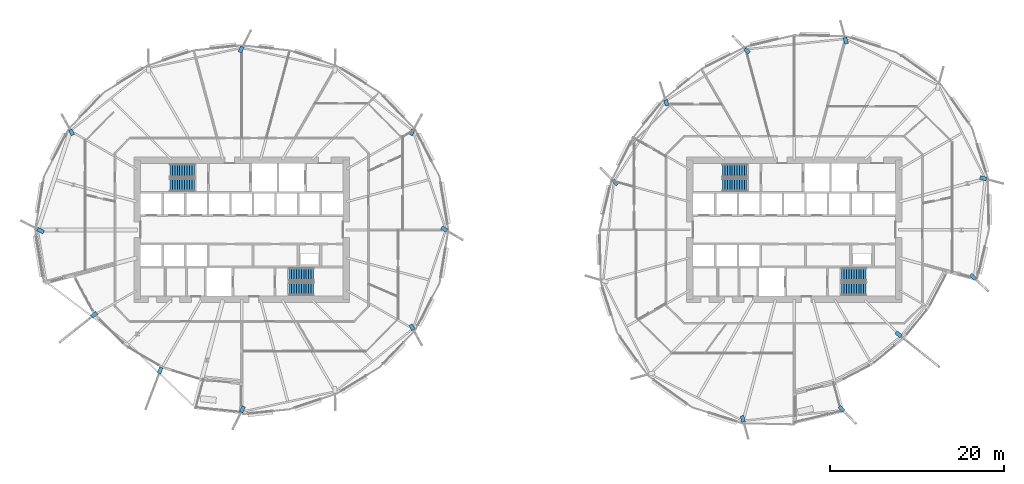
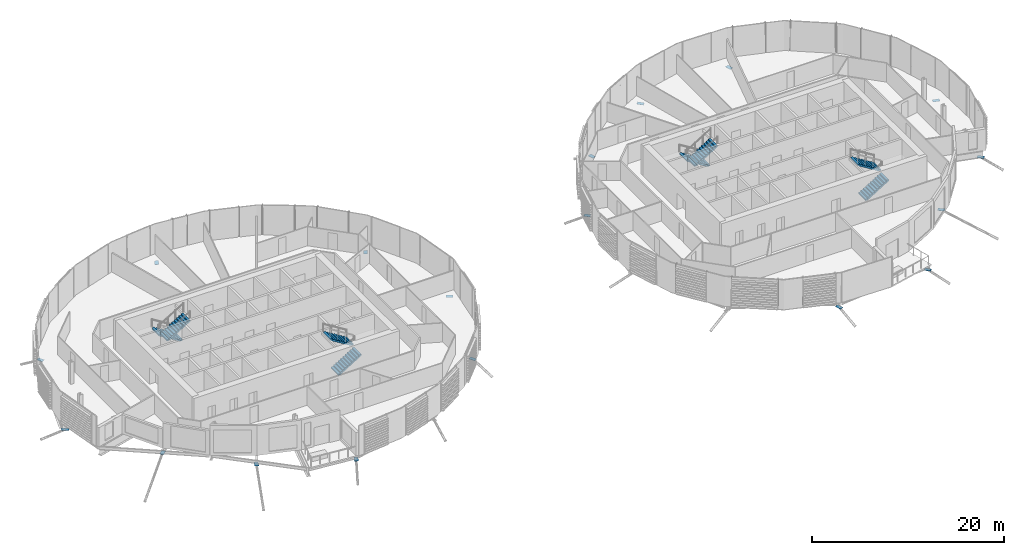
# One storey, part 28 of 43: 18 discrete accessories, 8 stair flights, 4 elements without a shape of their own.
"""IFC4 building model written with IfcOpenShell, lengths in metres."""

from ifc_helpers import new_model, si_unit, direction, frame, origin, origin_2d, place, context, subcontext, project, spatial, polyline, rectangle, outline, extrude, material, material_profile, profile_set, type_object, element, aggregate, save


model = new_model("IFC4")

# Units and contexts
model_context = context("Model", 3, precision=1e-05, world=origin(), true_north=direction((0.0, 1.0)))
body_context = subcontext(model_context, "Body", "Model", "MODEL_VIEW")
ifc_project = project(units=[si_unit("LENGTHUNIT", "METRE"), si_unit("AREAUNIT", "SQUARE_METRE"), si_unit("VOLUMEUNIT", "CUBIC_METRE"), si_unit("PLANEANGLEUNIT", "RADIAN"), si_unit("MASSUNIT", "GRAM", prefix="KILO")], contexts=[model_context])

# Site, building, storey
site_placement = place(None, origin())
site = spatial("IfcSite", under=ifc_project, at=site_placement, CompositionType="ELEMENT")
building_placement = place(site_placement, origin())
building = spatial("IfcBuilding", under=site, at=building_placement, Name="Rimbun Link Towers", CompositionType="ELEMENT")
storey_placement = place(building_placement, frame((0.0, 0.0, 81.60009765625)))
storey = spatial("IfcBuildingStorey", under=building, at=storey_placement, Name="L19", CompositionType="ELEMENT", Elevation=81.60009765625)

# Stair, stair flights
ifc_material_1 = material(Name="Concrete C40/50", Category="concrete")
stair_type = type_object("IfcStairType", Name="Exit stair 3800 rise", PredefinedType="HALF_TURN_STAIR", material=ifc_material_1)
stair_1_placement = place(storey_placement, origin())
stair_1 = element("IfcStair", 1, at=stair_1_placement, inside=storey, type_object=stair_type, Name="L19 EXIT STAIR A", PredefinedType="HALF_TURN_STAIR")
ifc_material_2 = material(Name="Concrete C40/50", Category="concrete")
stair_flight_type = type_object("IfcStairFlightType", Name="Exit stair flight 3800 rise", PredefinedType="STRAIGHT", material=ifc_material_2)
stair_flight_1_placement = place(storey_placement, frame((-37.199951171875, 6.800048828125, 0.0), z_axis=(0.0, 0.0, 1.0), x_axis=(-1.0, 0.0, 0.0)))
stair_flight_1 = element("IfcStairFlight", 2, at=stair_flight_1_placement, type_object=stair_flight_type, Name="ST1 flight 1", NumberOfRisers=11, NumberOfTreads=10, PredefinedType="STRAIGHT", RiserHeight=0.172727273, TreadLength=0.28, context=body_context, shape_type="SweptSolid", body=[
    extrude(outline(polyline([(0.0, 0.0), (0.0, 0.172607421875), (0.280029296875, 0.172607421875), (0.280029296875, 0.345458984375), (0.56005859375, 0.345458984375), (0.56005859375, 0.51806640625), (0.840087890625, 0.51806640625), (0.840087890625, 0.69091796875), (1.1201171875, 0.69091796875), (1.1201171875, 0.863525390625), (1.39990234375, 0.863525390625), (1.39990234375, 1.036376953125), (1.679931640625, 1.036376953125), (1.679931640625, 1.208984375), (1.9599609375, 1.208984375), (1.9599609375, 1.3818359375), (2.239990234375, 1.3818359375), (2.239990234375, 1.554443359375), (2.52001953125, 1.554443359375), (2.52001953125, 1.727294921875), (2.800048828125, 1.727294921875), (2.800048828125, 1.89990234375), (2.800048828125, 1.551025390625), (0.280029296875, 0.0), (0.0, 0.0)])), frame((0.0, 0.75, 0.0), z_axis=(0.0, -1.0, 0.0), x_axis=(1.0, 0.0, 0.0)), (0.0, 0.0, 1.0), 1.5),
])
stair_flight_2_placement = place(storey_placement, frame((-40.0, 5.14990234375, 1.89990234375), z_axis=(0.0, 0.0, 1.0), x_axis=(1.0, 0.0, 0.0)))
stair_flight_2 = element("IfcStairFlight", 3, at=stair_flight_2_placement, type_object=stair_flight_type, Name="ST1 flight 2", NumberOfRisers=11, NumberOfTreads=10, PredefinedType="STRAIGHT", RiserHeight=0.172727273, TreadLength=0.28, context=body_context, shape_type="SweptSolid", body=[
    extrude(outline(polyline([(0.0, 0.0), (0.0, 0.172607421875), (0.280029296875, 0.172607421875), (0.280029296875, 0.345458984375), (0.56005859375, 0.345458984375), (0.56005859375, 0.51806640625), (0.840087890625, 0.51806640625), (0.840087890625, 0.69091796875), (1.1201171875, 0.69091796875), (1.1201171875, 0.863525390625), (1.39990234375, 0.863525390625), (1.39990234375, 1.036376953125), (1.679931640625, 1.036376953125), (1.679931640625, 1.208984375), (1.9599609375, 1.208984375), (1.9599609375, 1.3818359375), (2.239990234375, 1.3818359375), (2.239990234375, 1.554443359375), (2.52001953125, 1.554443359375), (2.52001953125, 1.727294921875), (2.800048828125, 1.727294921875), (2.800048828125, 1.89990234375), (2.800048828125, 1.551025390625), (0.280029296875, 0.0), (0.0, 0.0)])), frame((0.0, 0.75, 0.0), z_axis=(0.0, -1.0, 0.0), x_axis=(1.0, 0.0, 0.0)), (0.0, 0.0, 1.0), 1.5),
])
aggregate(stair_1, [stair_flight_1, stair_flight_2])

stair_2_placement = place(storey_placement, origin())
stair_2 = element("IfcStair", 4, at=stair_2_placement, inside=storey, type_object=stair_type, Name="L19 EXIT STAIR B", PredefinedType="HALF_TURN_STAIR")
stair_flight_3_placement = place(storey_placement, frame((-26.300048828125, -6.800048828125, 0.0), z_axis=(0.0, 0.0, 1.0), x_axis=(1.0, 0.0, 0.0)))
stair_flight_3 = element("IfcStairFlight", 5, at=stair_flight_3_placement, type_object=stair_flight_type, Name="ST2 flight 1", NumberOfRisers=11, NumberOfTreads=10, PredefinedType="STRAIGHT", RiserHeight=0.172727273, TreadLength=0.28, context=body_context, shape_type="SweptSolid", body=[
    extrude(outline(polyline([(0.0, 0.0), (0.0, 0.172607421875), (0.280029296875, 0.172607421875), (0.280029296875, 0.345458984375), (0.56005859375, 0.345458984375), (0.56005859375, 0.51806640625), (0.840087890625, 0.51806640625), (0.840087890625, 0.69091796875), (1.1201171875, 0.69091796875), (1.1201171875, 0.863525390625), (1.39990234375, 0.863525390625), (1.39990234375, 1.036376953125), (1.679931640625, 1.036376953125), (1.679931640625, 1.208984375), (1.9599609375, 1.208984375), (1.9599609375, 1.3818359375), (2.239990234375, 1.3818359375), (2.239990234375, 1.554443359375), (2.52001953125, 1.554443359375), (2.52001953125, 1.727294921875), (2.800048828125, 1.727294921875), (2.800048828125, 1.89990234375), (2.800048828125, 1.551025390625), (0.280029296875, 0.0), (0.0, 0.0)])), frame((0.0, 0.75, 0.0), z_axis=(0.0, -1.0, 0.0), x_axis=(1.0, 0.0, 0.0)), (0.0, 0.0, 1.0), 1.5),
])
stair_flight_4_placement = place(storey_placement, frame((-23.5, -5.14990234375, 1.89990234375), z_axis=(0.0, 0.0, 1.0), x_axis=(-1.0, 0.0, 0.0)))
stair_flight_4 = element("IfcStairFlight", 6, at=stair_flight_4_placement, type_object=stair_flight_type, Name="ST2 flight 2", NumberOfRisers=11, NumberOfTreads=10, PredefinedType="STRAIGHT", RiserHeight=0.172727273, TreadLength=0.28, context=body_context, shape_type="SweptSolid", body=[
    extrude(outline(polyline([(0.0, 0.0), (0.0, 0.172607421875), (0.280029296875, 0.172607421875), (0.280029296875, 0.345458984375), (0.56005859375, 0.345458984375), (0.56005859375, 0.51806640625), (0.840087890625, 0.51806640625), (0.840087890625, 0.69091796875), (1.1201171875, 0.69091796875), (1.1201171875, 0.863525390625), (1.39990234375, 0.863525390625), (1.39990234375, 1.036376953125), (1.679931640625, 1.036376953125), (1.679931640625, 1.208984375), (1.9599609375, 1.208984375), (1.9599609375, 1.3818359375), (2.239990234375, 1.3818359375), (2.239990234375, 1.554443359375), (2.52001953125, 1.554443359375), (2.52001953125, 1.727294921875), (2.800048828125, 1.727294921875), (2.800048828125, 1.89990234375), (2.800048828125, 1.551025390625), (0.280029296875, 0.0), (0.0, 0.0)])), frame((0.0, 0.75, 0.0), z_axis=(0.0, -1.0, 0.0), x_axis=(1.0, 0.0, 0.0)), (0.0, 0.0, 1.0), 1.5),
])
aggregate(stair_2, [stair_flight_3, stair_flight_4])

stair_3_placement = place(storey_placement, origin())
stair_3 = element("IfcStair", 7, at=stair_3_placement, inside=storey, type_object=stair_type, Name="L19 EXIT STAIR A", PredefinedType="HALF_TURN_STAIR")
stair_flight_5_placement = place(storey_placement, frame((26.300048828125, 6.800048828125, 0.0), z_axis=(0.0, 0.0, 1.0), x_axis=(-1.0, 0.0, 0.0)))
stair_flight_5 = element("IfcStairFlight", 8, at=stair_flight_5_placement, type_object=stair_flight_type, Name="ST3 flight 1", NumberOfRisers=11, NumberOfTreads=10, PredefinedType="STRAIGHT", RiserHeight=0.172727273, TreadLength=0.28, context=body_context, shape_type="SweptSolid", body=[
    extrude(outline(polyline([(0.0, 0.0), (0.0, 0.172607421875), (0.280029296875, 0.172607421875), (0.280029296875, 0.345458984375), (0.56005859375, 0.345458984375), (0.56005859375, 0.51806640625), (0.840087890625, 0.51806640625), (0.840087890625, 0.69091796875), (1.1201171875, 0.69091796875), (1.1201171875, 0.863525390625), (1.39990234375, 0.863525390625), (1.39990234375, 1.036376953125), (1.679931640625, 1.036376953125), (1.679931640625, 1.208984375), (1.9599609375, 1.208984375), (1.9599609375, 1.3818359375), (2.239990234375, 1.3818359375), (2.239990234375, 1.554443359375), (2.52001953125, 1.554443359375), (2.52001953125, 1.727294921875), (2.800048828125, 1.727294921875), (2.800048828125, 1.89990234375), (2.800048828125, 1.551025390625), (0.280029296875, 0.0), (0.0, 0.0)])), frame((0.0, 0.75, 0.0), z_axis=(0.0, -1.0, 0.0), x_axis=(1.0, 0.0, 0.0)), (0.0, 0.0, 1.0), 1.5),
])
stair_flight_6_placement = place(storey_placement, frame((23.5, 5.14990234375, 1.89990234375), z_axis=(0.0, 0.0, 1.0), x_axis=(1.0, 0.0, 0.0)))
stair_flight_6 = element("IfcStairFlight", 9, at=stair_flight_6_placement, type_object=stair_flight_type, Name="ST3 flight 2", NumberOfRisers=11, NumberOfTreads=10, PredefinedType="STRAIGHT", RiserHeight=0.172727273, TreadLength=0.28, context=body_context, shape_type="SweptSolid", body=[
    extrude(outline(polyline([(0.0, 0.0), (0.0, 0.172607421875), (0.280029296875, 0.172607421875), (0.280029296875, 0.345458984375), (0.56005859375, 0.345458984375), (0.56005859375, 0.51806640625), (0.840087890625, 0.51806640625), (0.840087890625, 0.69091796875), (1.1201171875, 0.69091796875), (1.1201171875, 0.863525390625), (1.39990234375, 0.863525390625), (1.39990234375, 1.036376953125), (1.679931640625, 1.036376953125), (1.679931640625, 1.208984375), (1.9599609375, 1.208984375), (1.9599609375, 1.3818359375), (2.239990234375, 1.3818359375), (2.239990234375, 1.554443359375), (2.52001953125, 1.554443359375), (2.52001953125, 1.727294921875), (2.800048828125, 1.727294921875), (2.800048828125, 1.89990234375), (2.800048828125, 1.551025390625), (0.280029296875, 0.0), (0.0, 0.0)])), frame((0.0, 0.75, 0.0), z_axis=(0.0, -1.0, 0.0), x_axis=(1.0, 0.0, 0.0)), (0.0, 0.0, 1.0), 1.5),
])
aggregate(stair_3, [stair_flight_5, stair_flight_6])

stair_4_placement = place(storey_placement, origin())
stair_4 = element("IfcStair", 10, at=stair_4_placement, inside=storey, type_object=stair_type, Name="L19 EXIT STAIR B", PredefinedType="HALF_TURN_STAIR")
stair_flight_7_placement = place(storey_placement, frame((37.199951171875, -6.800048828125, 0.0), z_axis=(0.0, 0.0, 1.0), x_axis=(1.0, 0.0, 0.0)))
stair_flight_7 = element("IfcStairFlight", 11, at=stair_flight_7_placement, type_object=stair_flight_type, Name="ST4 flight 1", NumberOfRisers=11, NumberOfTreads=10, PredefinedType="STRAIGHT", RiserHeight=0.172727273, TreadLength=0.28, context=body_context, shape_type="SweptSolid", body=[
    extrude(outline(polyline([(0.0, 0.0), (0.0, 0.172607421875), (0.280029296875, 0.172607421875), (0.280029296875, 0.345458984375), (0.56005859375, 0.345458984375), (0.56005859375, 0.51806640625), (0.840087890625, 0.51806640625), (0.840087890625, 0.69091796875), (1.1201171875, 0.69091796875), (1.1201171875, 0.863525390625), (1.39990234375, 0.863525390625), (1.39990234375, 1.036376953125), (1.679931640625, 1.036376953125), (1.679931640625, 1.208984375), (1.9599609375, 1.208984375), (1.9599609375, 1.3818359375), (2.239990234375, 1.3818359375), (2.239990234375, 1.554443359375), (2.52001953125, 1.554443359375), (2.52001953125, 1.727294921875), (2.800048828125, 1.727294921875), (2.800048828125, 1.89990234375), (2.800048828125, 1.551025390625), (0.280029296875, 0.0), (0.0, 0.0)])), frame((0.0, 0.75, 0.0), z_axis=(0.0, -1.0, 0.0), x_axis=(1.0, 0.0, 0.0)), (0.0, 0.0, 1.0), 1.5),
])
stair_flight_8_placement = place(storey_placement, frame((40.0, -5.14990234375, 1.89990234375), z_axis=(0.0, 0.0, 1.0), x_axis=(-1.0, 0.0, 0.0)))
stair_flight_8 = element("IfcStairFlight", 12, at=stair_flight_8_placement, type_object=stair_flight_type, Name="ST4 flight 2", NumberOfRisers=11, NumberOfTreads=10, PredefinedType="STRAIGHT", RiserHeight=0.172727273, TreadLength=0.28, context=body_context, shape_type="SweptSolid", body=[
    extrude(outline(polyline([(0.0, 0.0), (0.0, 0.172607421875), (0.280029296875, 0.172607421875), (0.280029296875, 0.345458984375), (0.56005859375, 0.345458984375), (0.56005859375, 0.51806640625), (0.840087890625, 0.51806640625), (0.840087890625, 0.69091796875), (1.1201171875, 0.69091796875), (1.1201171875, 0.863525390625), (1.39990234375, 0.863525390625), (1.39990234375, 1.036376953125), (1.679931640625, 1.036376953125), (1.679931640625, 1.208984375), (1.9599609375, 1.208984375), (1.9599609375, 1.3818359375), (2.239990234375, 1.3818359375), (2.239990234375, 1.554443359375), (2.52001953125, 1.554443359375), (2.52001953125, 1.727294921875), (2.800048828125, 1.727294921875), (2.800048828125, 1.89990234375), (2.800048828125, 1.551025390625), (0.280029296875, 0.0), (0.0, 0.0)])), frame((0.0, 0.75, 0.0), z_axis=(0.0, -1.0, 0.0), x_axis=(1.0, 0.0, 0.0)), (0.0, 0.0, 1.0), 1.5),
])
aggregate(stair_4, [stair_flight_7, stair_flight_8])

# Discrete accessories
ifc_material_3 = material(Name="Steel S355J2H", Category="steel")
ifc_material_profile = material_profile(ifc_material_3, rectangle(XDim=0.43310546875, YDim=0.43310546875, at=origin_2d()), Name="PL 433x433")
ifc_profile_set = profile_set([ifc_material_profile], Name="Steel S355J2H")
discrete_accessory_type = type_object("IfcDiscreteAccessoryType", Name="Link head end plate 433X20", PredefinedType="BRACKET", material=ifc_profile_set)
discrete_accessory_1_placement = place(storey_placement, frame((0.0, 0.0, -0.78271484375)))
element("IfcDiscreteAccessory", 13, at=discrete_accessory_1_placement, inside=storey, type_object=discrete_accessory_type, Name="Link head end plate T1 L19 00", PredefinedType="BRACKET", context=body_context, shape_type="SweptSolid", body=[
    extrude(outline(polyline([(-8.89697265625, 0.0712890625), (-8.29833984375, -0.27978515625), (-8.079345703125, 0.09375), (-8.677978515625, 0.444580078125), (-8.89697265625, 0.0712890625)])), origin(), (0.0, 0.0, 1.0), 0.02001953125),
])
discrete_accessory_2_placement = place(storey_placement, frame((0.0, 0.0, -0.633544921875)))
element("IfcDiscreteAccessory", 14, at=discrete_accessory_2_placement, inside=storey, type_object=discrete_accessory_type, Name="Link head end plate T1 L19 02", PredefinedType="BRACKET", context=body_context, shape_type="SweptSolid", body=[
    extrude(outline(polyline([(-12.15966796875, 10.79345703125), (-11.831298828125, 11.398193359375), (-12.2119140625, 11.604736328125), (-12.5400390625, 11.0), (-12.15966796875, 10.79345703125)])), origin(), (0.0, 0.0, 1.0), 0.02001953125),
])
discrete_accessory_3_placement = place(storey_placement, frame((0.0, 0.0, -0.863525390625)))
element("IfcDiscreteAccessory", 15, at=discrete_accessory_3_placement, inside=storey, type_object=discrete_accessory_type, Name="Link head end plate T1 L19 06", PredefinedType="BRACKET", context=body_context, shape_type="SweptSolid", body=[
    extrude(outline(polyline([(-31.79541015625, 20.2998046875), (-31.473876953125, 20.929443359375), (-31.859619140625, 21.126220703125), (-32.180908203125, 20.49658203125), (-31.79541015625, 20.2998046875)])), origin(), (0.0, 0.0, 1.0), 0.02001953125),
])
discrete_accessory_4_placement = place(storey_placement, frame((0.0, 0.0, -0.633544921875)))
element("IfcDiscreteAccessory", 16, at=discrete_accessory_4_placement, inside=storey, type_object=discrete_accessory_type, Name="Link head end plate T1 L19 10", PredefinedType="BRACKET", context=body_context, shape_type="SweptSolid", body=[
    extrude(outline(polyline([(-50.9599609375, 11.0), (-51.2880859375, 11.604736328125), (-51.668701171875, 11.398193359375), (-51.34033203125, 10.79345703125), (-50.9599609375, 11.0)])), origin(), (0.0, 0.0, 1.0), 0.02001953125),
])
discrete_accessory_5_placement = place(storey_placement, frame((0.0, 0.0, -1.380126953125)))
element("IfcDiscreteAccessory", 17, at=discrete_accessory_5_placement, inside=storey, type_object=discrete_accessory_type, Name="Link head end plate T1 L19 12", PredefinedType="BRACKET", context=body_context, shape_type="SweptSolid", body=[
    extrude(outline(polyline([(-54.41259765625, -0.0888671875), (-55.1240234375, 0.275146484375), (-55.3212890625, -0.110107421875), (-54.60986328125, -0.474365234375), (-54.41259765625, -0.0888671875)])), origin(), (0.0, 0.0, 1.0), 0.02001953125),
])
discrete_accessory_6_placement = place(storey_placement, frame((0.0, 0.0, -0.633544921875)))
element("IfcDiscreteAccessory", 18, at=discrete_accessory_6_placement, inside=storey, type_object=discrete_accessory_type, Name="Link head end plate T1 L19 14", PredefinedType="BRACKET", context=body_context, shape_type="SweptSolid", body=[
    extrude(outline(polyline([(-48.564697265625, -9.369140625), (-49.11962890625, -9.8125), (-48.84912109375, -10.15087890625), (-48.29443359375, -9.707275390625), (-48.564697265625, -9.369140625)])), origin(), (0.0, 0.0, 1.0), 0.02001953125),
])
discrete_accessory_7_placement = place(storey_placement, frame((0.0, 0.0, -0.863525390625)))
element("IfcDiscreteAccessory", 19, at=discrete_accessory_7_placement, inside=storey, type_object=discrete_accessory_type, Name="Link head end plate T1 L19 16", PredefinedType="BRACKET", context=body_context, shape_type="SweptSolid", body=[
    extrude(outline(polyline([(-41.191650390625, -15.750732421875), (-41.44970703125, -16.4306640625), (-41.044921875, -16.58447265625), (-40.78662109375, -15.904296875), (-41.191650390625, -15.750732421875)])), origin(), (0.0, 0.0, 1.0), 0.02001953125),
])
discrete_accessory_8_placement = place(storey_placement, frame((0.0, 0.0, -0.863525390625)))
element("IfcDiscreteAccessory", 20, at=discrete_accessory_8_placement, inside=storey, type_object=discrete_accessory_type, Name="Link head end plate T1 L19 18", PredefinedType="BRACKET", context=body_context, shape_type="SweptSolid", body=[
    extrude(outline(polyline([(-31.707275390625, -20.19677734375), (-32.02490234375, -20.842529296875), (-31.636474609375, -21.03369140625), (-31.318603515625, -20.3876953125), (-31.707275390625, -20.19677734375)])), origin(), (0.0, 0.0, 1.0), 0.02001953125),
])
discrete_accessory_9_placement = place(storey_placement, frame((0.0, 0.0, -0.633544921875)))
element("IfcDiscreteAccessory", 21, at=discrete_accessory_9_placement, inside=storey, type_object=discrete_accessory_type, Name="Link head end plate T1 L19 22", PredefinedType="BRACKET", context=body_context, shape_type="SweptSolid", body=[
    extrude(outline(polyline([(-12.5400390625, -11.0), (-12.2119140625, -11.604736328125), (-11.831298828125, -11.398193359375), (-12.15966796875, -10.79345703125), (-12.5400390625, -11.0)])), origin(), (0.0, 0.0, 1.0), 0.02001953125),
])
discrete_accessory_10_placement = place(storey_placement, frame((0.0, 0.0, -0.9423828125)))
element("IfcDiscreteAccessory", 22, at=discrete_accessory_10_placement, inside=storey, type_object=discrete_accessory_type, Name="Link head end plate T2 L19 02", PredefinedType="BRACKET", context=body_context, shape_type="SweptSolid", body=[
    extrude(outline(polyline([(37.972412109375, 21.435791015625), (37.780517578125, 22.139404296875), (37.36279296875, 22.025390625), (37.5546875, 21.32177734375), (37.972412109375, 21.435791015625)])), origin(), (0.0, 0.0, 1.0), 0.02001953125),
])
discrete_accessory_11_placement = place(storey_placement, frame((0.0, 0.0, -0.863525390625)))
element("IfcDiscreteAccessory", 23, at=discrete_accessory_11_placement, inside=storey, type_object=discrete_accessory_type, Name="Link head end plate T2 L19 04", PredefinedType="BRACKET", context=body_context, shape_type="SweptSolid", body=[
    extrude(outline(polyline([(26.736083984375, 20.45068359375), (26.235595703125, 20.970703125), (25.923583984375, 20.67041015625), (26.424072265625, 20.150390625), (26.736083984375, 20.45068359375)])), origin(), (0.0, 0.0, 1.0), 0.02001953125),
])
discrete_accessory_12_placement = place(storey_placement, frame((0.0, 0.0, -0.713134765625)))
element("IfcDiscreteAccessory", 24, at=discrete_accessory_12_placement, inside=storey, type_object=discrete_accessory_type, Name="Link head end plate T2 L19 06", PredefinedType="BRACKET", context=body_context, shape_type="SweptSolid", body=[
    extrude(outline(polyline([(17.354248046875, 14.336669921875), (17.14794921875, 14.993896484375), (16.73486328125, 14.8642578125), (16.941162109375, 14.206787109375), (17.354248046875, 14.336669921875)])), origin(), (0.0, 0.0, 1.0), 0.02001953125),
])
discrete_accessory_13_placement = place(storey_placement, frame((0.0, 0.0, -0.633544921875)))
element("IfcDiscreteAccessory", 25, at=discrete_accessory_13_placement, inside=storey, type_object=discrete_accessory_type, Name="Link head end plate T2 L19 08", PredefinedType="BRACKET", context=body_context, shape_type="SweptSolid", body=[
    extrude(outline(polyline([(11.57373046875, 5.33984375), (11.0830078125, 5.826904296875), (10.778076171875, 5.51953125), (11.268798828125, 5.032470703125), (11.57373046875, 5.33984375)])), origin(), (0.0, 0.0, 1.0), 0.02001953125),
])
discrete_accessory_14_placement = place(storey_placement, frame((0.0, 0.0, -0.9423828125)))
element("IfcDiscreteAccessory", 26, at=discrete_accessory_14_placement, inside=storey, type_object=discrete_accessory_type, Name="Link head end plate T2 L19 14", PredefinedType="BRACKET", context=body_context, shape_type="SweptSolid", body=[
    extrude(outline(polyline([(25.527587890625, -21.435791015625), (25.719482421875, -22.139404296875), (26.13720703125, -22.025390625), (25.9453125, -21.32177734375), (25.527587890625, -21.435791015625)])), origin(), (0.0, 0.0, 1.0), 0.02001953125),
])
discrete_accessory_15_placement = place(storey_placement, frame((0.0, 0.0, -0.863525390625)))
element("IfcDiscreteAccessory", 27, at=discrete_accessory_15_placement, inside=storey, type_object=discrete_accessory_type, Name="Link head end plate T2 L19 16", PredefinedType="BRACKET", context=body_context, shape_type="SweptSolid", body=[
    extrude(outline(polyline([(36.763916015625, -20.45068359375), (37.264404296875, -20.970703125), (37.576416015625, -20.67041015625), (37.075927734375, -20.150390625), (36.763916015625, -20.45068359375)])), origin(), (0.0, 0.0, 1.0), 0.02001953125),
])
discrete_accessory_16_placement = place(storey_placement, frame((0.0, 0.0, -0.713134765625)))
element("IfcDiscreteAccessory", 28, at=discrete_accessory_16_placement, inside=storey, type_object=discrete_accessory_type, Name="Link head end plate T2 L19 18", PredefinedType="BRACKET", context=body_context, shape_type="SweptSolid", body=[
    extrude(outline(polyline([(43.311767578125, -11.955810546875), (43.8994140625, -12.425537109375), (44.169677734375, -12.08740234375), (43.58203125, -11.61767578125), (43.311767578125, -11.955810546875)])), origin(), (0.0, 0.0, 1.0), 0.02001953125),
])
discrete_accessory_17_placement = place(storey_placement, frame((0.0, 0.0, -1.020751953125)))
element("IfcDiscreteAccessory", 29, at=discrete_accessory_17_placement, inside=storey, type_object=discrete_accessory_type, Name="Link head end plate T2 L19 20", PredefinedType="BRACKET", context=body_context, shape_type="SweptSolid", body=[
    extrude(outline(polyline([(51.880126953125, -5.314697265625), (52.423095703125, -5.826171875), (52.719970703125, -5.510986328125), (52.17724609375, -4.99951171875), (51.880126953125, -5.314697265625)])), origin(), (0.0, 0.0, 1.0), 0.02001953125),
])
discrete_accessory_18_placement = place(storey_placement, frame((0.0, 0.0, -1.098388671875)))
element("IfcDiscreteAccessory", 30, at=discrete_accessory_18_placement, inside=storey, type_object=discrete_accessory_type, Name="Link head end plate T2 L19 22", PredefinedType="BRACKET", context=body_context, shape_type="SweptSolid", body=[
    extrude(outline(polyline([(53.047607421875, 5.8046875), (53.777587890625, 5.6142578125), (53.886962890625, 6.033203125), (53.15673828125, 6.2236328125), (53.047607421875, 5.8046875)])), origin(), (0.0, 0.0, 1.0), 0.019775390625),
])

save(model, "model.ifc")
